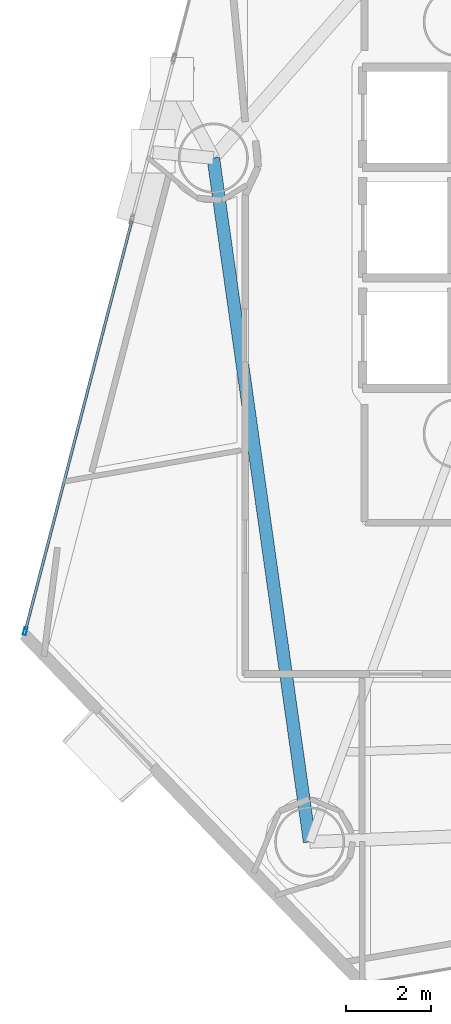
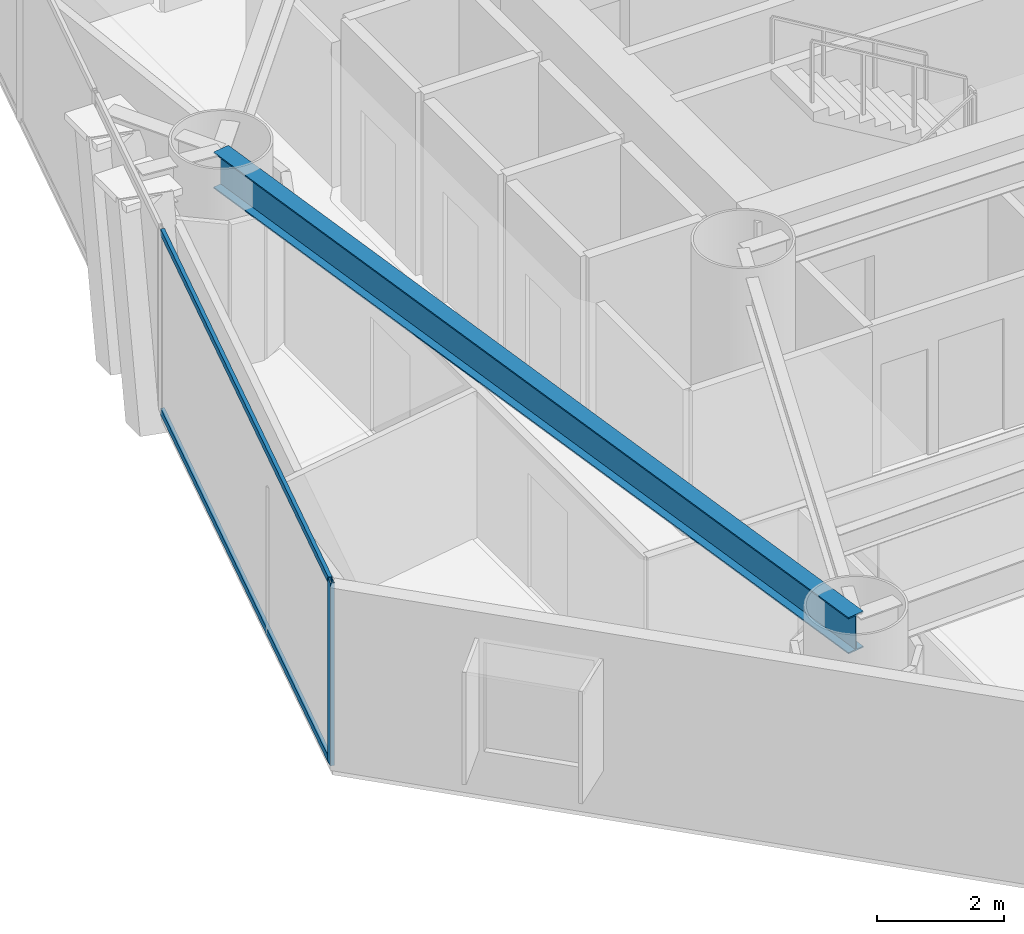
# One storey, part 3 of 23: 3 members, 1 beam, 1 element without a shape of its own.
"""IFC4 building model written with IfcOpenShell, lengths in metres."""

from ifc_helpers import new_model, si_unit, direction, frame, origin, origin_2d, place, context, subcontext, project, spatial, hollow_rectangle, i_section, extrude, material, layer, layer_set, material_profile, profile_set, type_object, element, aggregate, save


model = new_model("IFC4")

# Units and contexts
model_context = context("Model", 3, precision=1e-05, world=origin(), true_north=direction((0.0, 1.0)))
body_context = subcontext(model_context, "Body", "Model", "MODEL_VIEW")
ifc_project = project(units=[si_unit("LENGTHUNIT", "METRE"), si_unit("AREAUNIT", "SQUARE_METRE"), si_unit("VOLUMEUNIT", "CUBIC_METRE"), si_unit("PLANEANGLEUNIT", "RADIAN"), si_unit("MASSUNIT", "GRAM", prefix="KILO")], contexts=[model_context])

# Site, building, storey
site_placement = place(None, origin())
site = spatial("IfcSite", under=ifc_project, at=site_placement, CompositionType="ELEMENT")
building_placement = place(site_placement, origin())
building = spatial("IfcBuilding", under=site, at=building_placement, Name="Qianvela Tower", CompositionType="ELEMENT")
storey_placement = place(building_placement, frame((0.0, 0.0, 82.10009765625)))
storey = spatial("IfcBuildingStorey", under=building, at=storey_placement, Name="L20", CompositionType="ELEMENT", Elevation=82.10009765625)

# Beam
ifc_material_1 = material(Name="Steel Q355B", Category="steel")
ifc_material_profile_1 = material_profile(ifc_material_1, i_section(OverallWidth=0.300048828125, OverallDepth=0.699951171875, WebThickness=0.012939453125, FlangeThickness=0.02392578125, at=origin_2d()), Name="HN700x300x13x24")
ifc_profile_set_1 = profile_set([ifc_material_profile_1], Name="Steel Q355B")
beam_type = type_object("IfcBeamType", Name="BM-HN700-SPAND", PredefinedType="SPANDREL", material=ifc_profile_set_1)
beam_placement = place(storey_placement, frame((22.8291015625, 30.340087890625, 3.16796875), z_axis=(0.139545592864, -0.990215646974, 0.0), x_axis=(0.990215646974, 0.139545592864, 0.0)))
element("IfcBeam", 1, at=beam_placement, inside=storey, type_object=beam_type, Name="L20 Perimeter Ring Spandrel Girder 4", PredefinedType="SPANDREL", context=body_context, shape_type="SweptSolid", body=[
    extrude(i_section(OverallWidth=0.300048828125, OverallDepth=0.699951171875, WebThickness=0.012939453125, FlangeThickness=0.02392578125, at=origin_2d()), origin(), (0.0, 0.0, 1.0), 16.274169921875),
])

# Curtain wall, members
ifc_material_2 = material(Name="Anodised Architectural Aluminium and Low-E Glass", Category="aluminium")
ifc_layer = layer(ifc_material_2, 0.179931640625)
ifc_layer_set = layer_set([ifc_layer], Name="Anodised Architectural Aluminium and Low-E Glass")
curtain_wall_type = type_object("IfcCurtainWallType", Name="CW-COLIV-Z12", PredefinedType="USERDEFINED", material=ifc_layer_set)
curtain_wall_placement = place(storey_placement, origin())
curtain_wall = element("IfcCurtainWall", 2, at=curtain_wall_placement, inside=storey, type_object=curtain_wall_type, Name="L20 CW-COLIV-Z12 Curtain Wall 04C", ObjectType="CURTAIN_WALL_SYSTEM", PredefinedType="USERDEFINED")
ifc_material_3 = material(Name="Anodised Architectural Aluminium 6063-T6", Category="aluminium")
ifc_material_profile_2 = material_profile(ifc_material_3, hollow_rectangle(XDim=0.070068359375, YDim=0.179931640625, WallThickness=0.0048828125, at=origin_2d()), Name="ALU-MULL-70x180")
ifc_profile_set_2 = profile_set([ifc_material_profile_2], Name="Anodised Architectural Aluminium 6063-T6")
member_type_1 = type_object("IfcMemberType", Name="CW-COLIV-Z12-MULL", PredefinedType="MULLION", material=ifc_profile_set_2)
member_1_placement = place(storey_placement, frame((18.396240234375, 19.189453125, 0.0), z_axis=(0.0, 0.0, 1.0), x_axis=(0.967886396599, -0.251387993505, 0.0)))
member_1 = element("IfcMember", 3, at=member_1_placement, type_object=member_type_1, Name="CW-3 mullion 2", PredefinedType="MULLION", context=body_context, shape_type="SweptSolid", body=[
    extrude(hollow_rectangle(XDim=0.070068359375, YDim=0.179931640625, WallThickness=0.0048828125, at=origin_2d()), origin(), (0.0, 0.0, 1.0), 3.52001953125),
])
ifc_material_4 = material(Name="Anodised Architectural Aluminium 6063-T6", Category="aluminium")
ifc_material_profile_3 = material_profile(ifc_material_4, hollow_rectangle(XDim=0.06494140625, YDim=0.1298828125, WallThickness=0.00439453125, at=origin_2d()), Name="ALU-TRAN-65x130")
ifc_profile_set_3 = profile_set([ifc_material_profile_3], Name="Anodised Architectural Aluminium 6063-T6")
member_type_2 = type_object("IfcMemberType", Name="CW-COLIV-Z12-TRAN", PredefinedType="USERDEFINED", material=ifc_profile_set_3)
member_2_placement = place(storey_placement, frame((20.906005859375, 28.8525390625, 0.032470703125), z_axis=(-0.251388810454, -0.967886184413, 0.0), x_axis=(0.967886184413, -0.251388810454, 0.0)))
member_2 = element("IfcMember", 4, at=member_2_placement, type_object=member_type_2, Name="CW-3 transom 1.1", ObjectType="TRANSOM", PredefinedType="USERDEFINED", context=body_context, shape_type="SweptSolid", body=[
    extrude(hollow_rectangle(XDim=0.06494140625, YDim=0.1298828125, WallThickness=0.00439453125, at=origin_2d()), origin(), (0.0, 0.0, 1.0), 9.94873046875),
])
member_3_placement = place(storey_placement, frame((20.906005859375, 28.8525390625, 3.4873046875), z_axis=(-0.251388810454, -0.967886184413, 0.0), x_axis=(0.967886184413, -0.251388810454, 0.0)))
member_3 = element("IfcMember", 5, at=member_3_placement, type_object=member_type_2, Name="CW-3 transom 1.2", ObjectType="TRANSOM", PredefinedType="USERDEFINED", context=body_context, shape_type="SweptSolid", body=[
    extrude(hollow_rectangle(XDim=0.06494140625, YDim=0.1298828125, WallThickness=0.00439453125, at=origin_2d()), origin(), (0.0, 0.0, 1.0), 9.94873046875),
])
aggregate(curtain_wall, [member_1, member_2, member_3])

save(model, "model.ifc")
